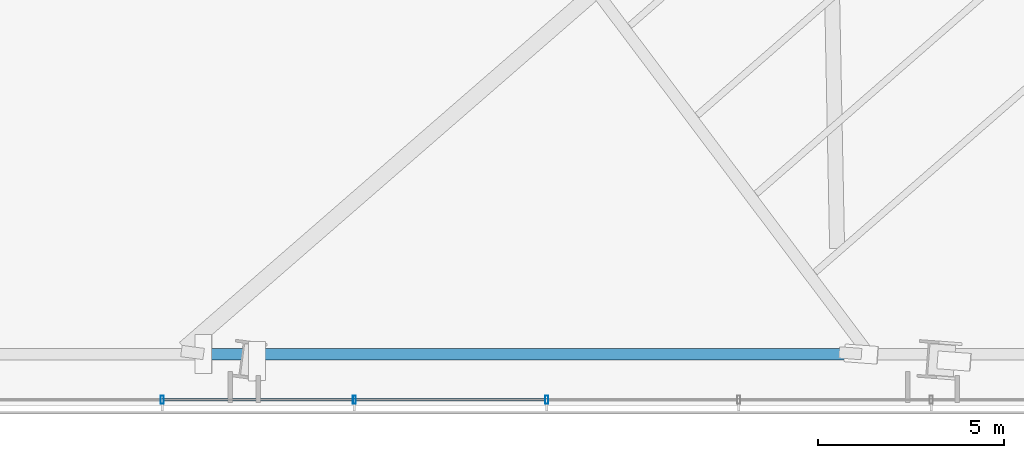
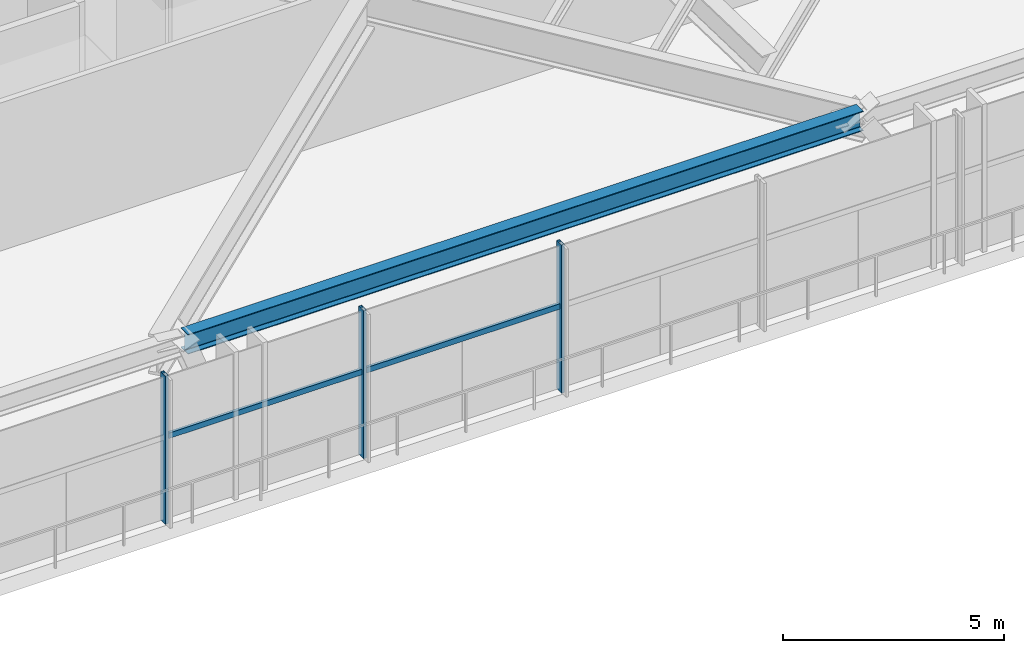
# One storey, part 12 of 36: 5 members, 1 beam, 1 element without a shape of its own.
"""IFC4 building model written with IfcOpenShell, lengths in metres."""

from ifc_helpers import new_model, si_unit, direction, frame, origin, origin_2d, place, context, subcontext, project, spatial, hollow_rectangle, i_section, extrude, source, transform, mapped, material, material_profile, profile_set, type_object, type_shapes, element, aggregate, save


model = new_model("IFC4")

# Units and contexts
model_context = context("Model", 3, precision=1e-05, world=origin(), true_north=direction((0.0, 1.0)))
body_context = subcontext(model_context, "Body", "Model", "MODEL_VIEW")
ifc_project = project(units=[si_unit("LENGTHUNIT", "METRE"), si_unit("AREAUNIT", "SQUARE_METRE"), si_unit("VOLUMEUNIT", "CUBIC_METRE"), si_unit("PLANEANGLEUNIT", "RADIAN"), si_unit("MASSUNIT", "GRAM", prefix="KILO")], contexts=[model_context])

# Site, building, storey
site_placement = place(None, origin())
site = spatial("IfcSite", under=ifc_project, at=site_placement, CompositionType="ELEMENT")
building_placement = place(site_placement, origin())
building = spatial("IfcBuilding", under=site, at=building_placement, Name="Astriad Promenade Condominiums", CompositionType="ELEMENT")
storey_placement = place(building_placement, frame((0.0, 0.0, 5.0)))
storey = spatial("IfcBuildingStorey", under=building, at=storey_placement, Name="L01", CompositionType="ELEMENT", Elevation=5.0)

# Beam
ifc_material_1 = material(Name="Steel ASTM A992 Grade 50", Category="steel")
ifc_material_profile_1 = material_profile(ifc_material_1, i_section(OverallWidth=0.3134765625, OverallDepth=0.54638671875, WebThickness=0.013916015625, FlangeThickness=0.022216796875, FilletRadius=0.0166015625, at=origin_2d()), Name="W21X111")
ifc_profile_set_1 = profile_set([ifc_material_profile_1], Name="Steel ASTM A992 Grade 50")
beam_type = type_object("IfcBeamType", Name="STEEL SPANDREL BEAM W21X111", PredefinedType="SPANDREL", material=ifc_profile_set_1)
shared_shape_1 = source(origin(), body_context, "Body", "SweptSolid", [
    extrude(i_section(OverallWidth=0.3134765625, OverallDepth=0.54638671875, WebThickness=0.013916015625, FlangeThickness=0.022216796875, FilletRadius=0.0166015625, at=origin_2d()), origin(), (0.0, 0.0, 1.0), 17.60693359375),
])
type_shapes(beam_type, [shared_shape_1])
beam_placement = place(storey_placement, frame((39.140380859375, 2.36669921875, 3.806884765625), z_axis=(1.0, 0.0, 0.0), x_axis=(0.0, 1.0, 0.0)))
element("IfcBeam", 1, at=beam_placement, inside=storey, type_object=beam_type, Name="Perimeter Spandrel Beam SP-S3-L01", PredefinedType="SPANDREL", context=body_context, shape_type="MappedRepresentation", body=[
    mapped(shared_shape_1, transform((0.0, 0.0, 0.0), scale=1.0)),
])

# Curtain wall, members
ifc_material_2 = material(Name="Anodised aluminium Black Dark Glass Unitised", Category="aluminium")
curtain_wall_type = type_object("IfcCurtainWallType", Name="CW-POD-DARK", PredefinedType="USERDEFINED", material=ifc_material_2)
curtain_wall_placement = place(storey_placement, origin())
curtain_wall = element("IfcCurtainWall", 2, at=curtain_wall_placement, inside=storey, type_object=curtain_wall_type, Name="CW-L01-S", ObjectType="UNITISED_CURTAIN_WALL", PredefinedType="USERDEFINED")
ifc_material_3 = material(Name="Anodised aluminium 6063-T6 Black", Category="aluminium")
ifc_material_profile_2 = material_profile(ifc_material_3, hollow_rectangle(XDim=0.0849609375, YDim=0.219970703125, WallThickness=0.0048828125, at=origin_2d()), Name="ALU-MUL-85X220")
ifc_profile_set_2 = profile_set([ifc_material_profile_2], Name="Anodised aluminium 6063-T6 Black")
member_type_1 = type_object("IfcMemberType", Name="MUL-ALU-MUL-85X220", PredefinedType="MULLION", material=ifc_profile_set_2)
shared_shape_2 = source(origin(), body_context, "Body", "SweptSolid", [
    extrude(hollow_rectangle(XDim=0.0849609375, YDim=0.219970703125, WallThickness=0.0048828125, at=origin_2d()), origin(), (0.0, 0.0, 1.0), 4.080078125),
])
type_shapes(member_type_1, [shared_shape_2])
member_1_placement = place(storey_placement, frame((48.2421875, 1.14990234375, 0.0), z_axis=(0.0, 0.0, 1.0), x_axis=(1.0, 0.0, 0.0)))
member_1 = element("IfcMember", 3, at=member_1_placement, type_object=member_type_1, Name="CW-L01-S-MUL-05", PredefinedType="MULLION", context=body_context, shape_type="MappedRepresentation", body=[
    mapped(shared_shape_2, transform((0.0, 0.0, 0.0), scale=1.0)),
])
member_2_placement = place(storey_placement, frame((43.080810546875, 1.14990234375, 0.0), z_axis=(0.0, 0.0, 1.0), x_axis=(1.0, 0.0, 0.0)))
member_2 = element("IfcMember", 4, at=member_2_placement, type_object=member_type_1, Name="CW-L01-S-MUL-06", PredefinedType="MULLION", context=body_context, shape_type="MappedRepresentation", body=[
    mapped(shared_shape_2, transform((0.0, 0.0, 0.0), scale=1.0)),
])
member_3_placement = place(storey_placement, frame((37.919189453125, 1.14990234375, 0.0), z_axis=(0.0, 0.0, 1.0), x_axis=(1.0, 0.0, 0.0)))
member_3 = element("IfcMember", 5, at=member_3_placement, type_object=member_type_1, Name="CW-L01-S-MUL-07", PredefinedType="MULLION", context=body_context, shape_type="MappedRepresentation", body=[
    mapped(shared_shape_2, transform((0.0, 0.0, 0.0), scale=1.0)),
])
ifc_material_profile_3 = material_profile(ifc_material_3, hollow_rectangle(XDim=0.074951171875, YDim=0.14990234375, WallThickness=0.004150390625, at=origin_2d()), Name="ALU-TRN-75X150")
ifc_profile_set_3 = profile_set([ifc_material_profile_3], Name="Anodised aluminium 6063-T6 Black")
member_type_2 = type_object("IfcMemberType", Name="TRN-ALU-TRN-75X150", PredefinedType="USERDEFINED", material=ifc_profile_set_3)
shared_shape_3 = source(origin(), body_context, "Body", "SweptSolid", [
    extrude(hollow_rectangle(XDim=0.074951171875, YDim=0.14990234375, WallThickness=0.004150390625, at=origin_2d()), origin(), (0.0, 0.0, 1.0), 5.16162109375),
])
member_4_placement = place(storey_placement, frame((43.080810546875, 1.14990234375, 2.35009765625), z_axis=(-1.0, 0.0, 0.0), x_axis=(0.0, -1.0, 0.0)))
member_4 = element("IfcMember", 6, at=member_4_placement, type_object=member_type_2, Name="CW-L01-S-TRN-06-0", ObjectType="TRANSOM", PredefinedType="USERDEFINED", context=body_context, shape_type="MappedRepresentation", body=[
    mapped(shared_shape_3, transform((0.0, 0.0, 0.0), scale=1.0)),
])
shared_shape_4 = source(origin(), body_context, "Body", "SweptSolid", [
    extrude(hollow_rectangle(XDim=0.074951171875, YDim=0.14990234375, WallThickness=0.004150390625, at=origin_2d()), origin(), (0.0, 0.0, 1.0), 5.161376953125),
])
type_shapes(member_type_2, [shared_shape_3, shared_shape_4])
member_5_placement = place(storey_placement, frame((48.2421875, 1.14990234375, 2.35009765625), z_axis=(-1.0, 0.0, 0.0), x_axis=(0.0, -1.0, 0.0)))
member_5 = element("IfcMember", 7, at=member_5_placement, type_object=member_type_2, Name="CW-L01-S-TRN-05-0", ObjectType="TRANSOM", PredefinedType="USERDEFINED", context=body_context, shape_type="MappedRepresentation", body=[
    mapped(shared_shape_4, transform((0.0, 0.0, 0.0), scale=1.0)),
])
aggregate(curtain_wall, [member_1, member_2, member_3, member_5, member_4])

save(model, "model.ifc")
